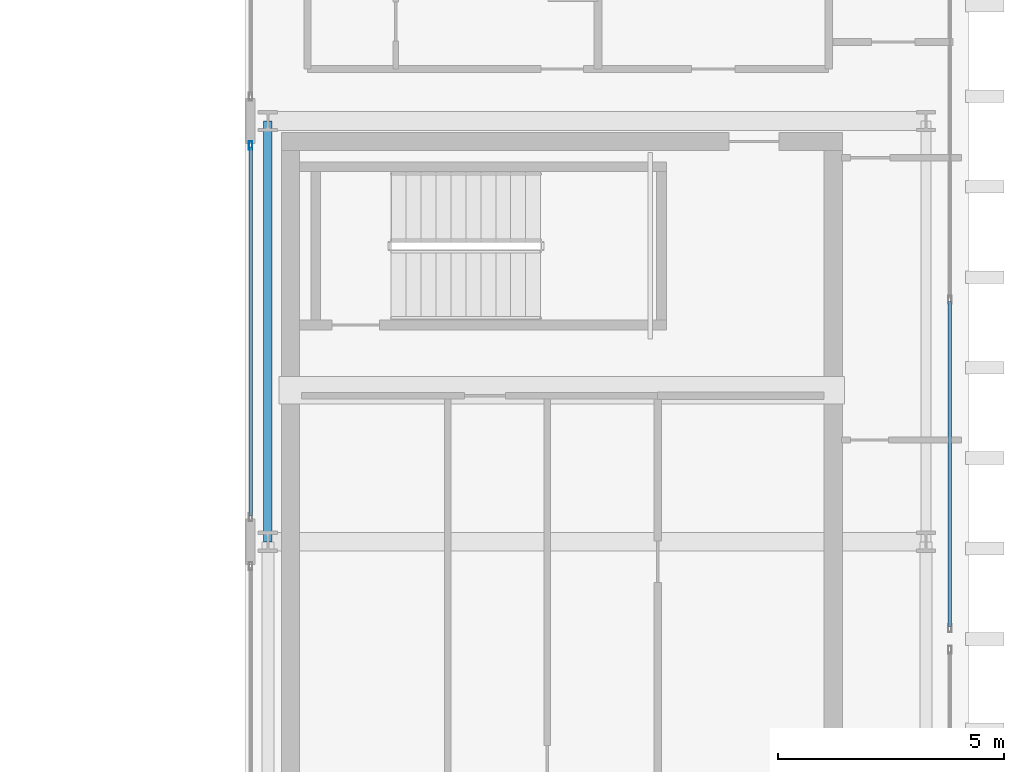
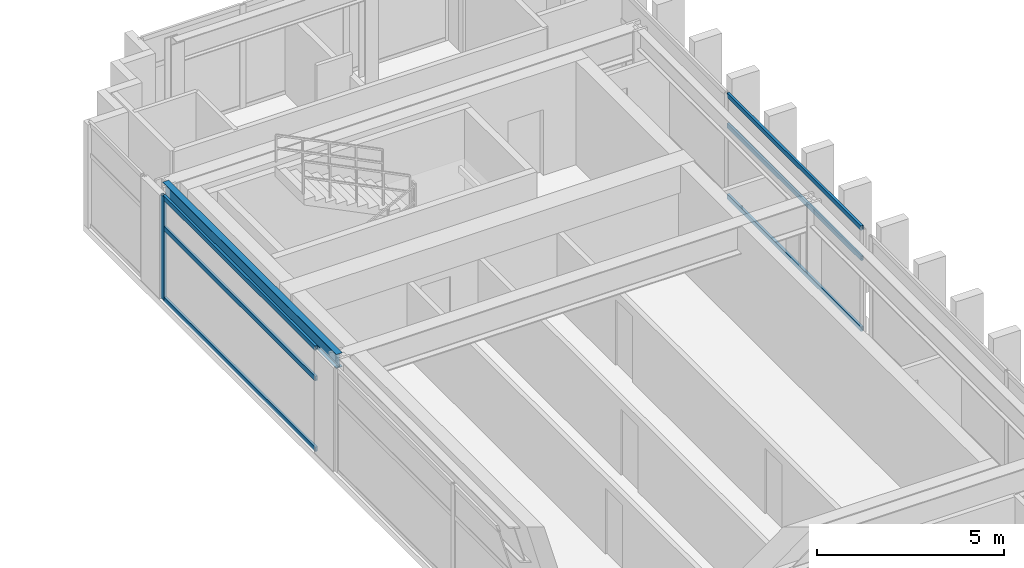
# One storey, part 12 of 25: 7 members, 1 beam, 2 elements without a shape of their own.
"""IFC4 building model written with IfcOpenShell, lengths in metres."""

from ifc_helpers import new_model, si_unit, direction, frame, origin, origin_2d, place, context, subcontext, project, spatial, hollow_rectangle, i_section, extrude, source, transform, mapped, material, layer, layer_set, material_profile, profile_set, type_object, element, aggregate, save


model = new_model("IFC4")

# Units and contexts
model_context = context("Model", 3, precision=1e-05, world=origin(), true_north=direction((0.0, 1.0)))
body_context = subcontext(model_context, "Body", "Model", "MODEL_VIEW")
ifc_project = project(units=[si_unit("LENGTHUNIT", "METRE"), si_unit("AREAUNIT", "SQUARE_METRE"), si_unit("VOLUMEUNIT", "CUBIC_METRE"), si_unit("PLANEANGLEUNIT", "RADIAN"), si_unit("MASSUNIT", "GRAM", prefix="KILO")], contexts=[model_context])

# Site, building, storey
site_placement = place(None, origin())
site = spatial("IfcSite", under=ifc_project, at=site_placement, CompositionType="ELEMENT")
building_placement = place(site_placement, origin())
building = spatial("IfcBuilding", under=site, at=building_placement, Name="Ocotamira Hotel", CompositionType="ELEMENT")
storey_placement = place(building_placement, frame((0.0, 0.0, 258.0)))
storey = spatial("IfcBuildingStorey", under=building, at=storey_placement, Name="L65", CompositionType="ELEMENT", Elevation=258.0)

# Beam
ifc_material_1 = material(Name="Steel ASTM A992 Grade 50", Category="steel")
ifc_material_profile_1 = material_profile(ifc_material_1, i_section(OverallWidth=0.18994140625, OverallDepth=0.45703125, WebThickness=0.009033203125, FlangeThickness=0.014404296875, FilletRadius=0.010009765625, at=origin_2d()), Name="W18X50")
ifc_profile_set_1 = profile_set([ifc_material_profile_1], Name="Steel ASTM A992 Grade 50")
beam_type = type_object("IfcBeamType", Name="BM-SEC-W18X50", PredefinedType="JOIST", material=ifc_profile_set_1)
shared_shape_1 = source(origin(), body_context, "Body", "SweptSolid", [
    extrude(i_section(OverallWidth=0.18994140625, OverallDepth=0.45703125, WebThickness=0.009033203125, FlangeThickness=0.014404296875, FilletRadius=0.010009765625, at=origin_2d()), origin(), (0.0, 0.0, 1.0), 9.300048828125),
])
beam_placement = place(storey_placement, frame((40.5, 28.14990234375, 3.151611328125), z_axis=(0.0, 1.0, 0.0), x_axis=(-1.0, 0.0, 0.0)))
element("IfcBeam", 1, at=beam_placement, inside=storey, type_object=beam_type, Name="L65 Beam X40.5 Y28.15-37.45", PredefinedType="JOIST", context=body_context, shape_type="MappedRepresentation", body=[
    mapped(shared_shape_1, transform((0.0, 0.0, 0.0), scale=1.0)),
])

# Curtain wall, member
ifc_material_2 = material(Name="Anodised pale-metal aluminium and solar glass", Category="aluminium")
ifc_layer = layer(ifc_material_2, 0.2099609375)
ifc_layer_set = layer_set([ifc_layer], Name="Anodised pale-metal aluminium and solar glass")
curtain_wall_type = type_object("IfcCurtainWallType", Name="CW-SYS7-PEAK", PredefinedType="NOTDEFINED", material=ifc_layer_set)
curtain_wall_1_placement = place(storey_placement, origin())
curtain_wall_1 = element("IfcCurtainWall", 2, at=curtain_wall_1_placement, inside=storey, type_object=curtain_wall_type, Name="L65 Curtain Wall CW-7 CW-L65-EI3", PredefinedType="NOTDEFINED")
ifc_material_3 = material(Name="Anodised pale-metal aluminium 6063-T6", Category="aluminium")
ifc_material_profile_2 = material_profile(ifc_material_3, hollow_rectangle(XDim=0.080078125, YDim=0.179931640625, WallThickness=0.006103515625, at=origin_2d()), Name="HSS180X80X6")
ifc_profile_set_2 = profile_set([ifc_material_profile_2], Name="Anodised pale-metal aluminium 6063-T6")
member_type_1 = type_object("IfcMemberType", Name="CWM-180X75", PredefinedType="MULLION", material=ifc_profile_set_2)
shared_shape_2 = source(origin(), body_context, "Body", "SweptSolid", [
    extrude(hollow_rectangle(XDim=0.080078125, YDim=0.179931640625, WallThickness=0.006103515625, at=origin_2d()), origin(), (0.0, 0.0, 1.0), 3.3798828125),
])
member_1_placement = place(storey_placement, frame((40.1201171875, 36.909912109375, 0.0), z_axis=(0.0, 0.0, 1.0), x_axis=(-1.0, 0.0, 0.0)))
member_1 = element("IfcMember", 3, at=member_1_placement, type_object=member_type_1, Name="CW-7 mullion 2", PredefinedType="MULLION", context=body_context, shape_type="MappedRepresentation", body=[
    mapped(shared_shape_2, transform((0.0, 0.0, 0.0), scale=1.0)),
])

# Curtain wall, members
curtain_wall_2_placement = place(storey_placement, origin())
curtain_wall_2 = element("IfcCurtainWall", 4, at=curtain_wall_2_placement, inside=storey, type_object=curtain_wall_type, Name="L65 Curtain Wall CW-7 CW-L65-EO2", PredefinedType="NOTDEFINED")
ifc_material_profile_3 = material_profile(ifc_material_3, hollow_rectangle(XDim=0.074951171875, YDim=0.14990234375, WallThickness=0.006103515625, at=origin_2d()), Name="HSS150X75X6")
ifc_profile_set_3 = profile_set([ifc_material_profile_3], Name="Anodised pale-metal aluminium 6063-T6")
member_type_2 = type_object("IfcMemberType", Name="CWT-150X75", PredefinedType="USERDEFINED", material=ifc_profile_set_3)
shared_shape_3 = source(origin(), body_context, "Body", "SweptSolid", [
    extrude(hollow_rectangle(XDim=0.074951171875, YDim=0.14990234375, WallThickness=0.006103515625, at=origin_2d()), origin(), (0.0, 0.0, 1.0), 7.179931640625),
])
member_2_placement = place(storey_placement, frame((55.580078125, 26.280029296875, 0.03759765625), z_axis=(0.0, 1.0, 0.0), x_axis=(-1.0, 0.0, 0.0)))
member_2 = element("IfcMember", 5, at=member_2_placement, type_object=member_type_2, Name="CW-7 transom 1.1", ObjectType="TRANSOM", PredefinedType="USERDEFINED", context=body_context, shape_type="MappedRepresentation", body=[
    mapped(shared_shape_3, transform((0.0, 0.0, 0.0), scale=1.0)),
])
member_3_placement = place(storey_placement, frame((55.580078125, 26.280029296875, 2.35009765625), z_axis=(0.0, 1.0, 0.0), x_axis=(-1.0, 0.0, 0.0)))
member_3 = element("IfcMember", 6, at=member_3_placement, type_object=member_type_2, Name="CW-7 transom 1.2", ObjectType="TRANSOM", PredefinedType="USERDEFINED", context=body_context, shape_type="MappedRepresentation", body=[
    mapped(shared_shape_3, transform((0.0, 0.0, 0.0), scale=1.0)),
])
member_4_placement = place(storey_placement, frame((55.580078125, 26.280029296875, 3.342529296875), z_axis=(0.0, 1.0, 0.0), x_axis=(-1.0, 0.0, 0.0)))
member_4 = element("IfcMember", 7, at=member_4_placement, type_object=member_type_2, Name="CW-7 transom 1.3", ObjectType="TRANSOM", PredefinedType="USERDEFINED", context=body_context, shape_type="MappedRepresentation", body=[
    mapped(shared_shape_3, transform((0.0, 0.0, 0.0), scale=1.0)),
])
aggregate(curtain_wall_2, [member_2, member_3, member_4])

# Member
shared_shape_4 = source(origin(), body_context, "Body", "SweptSolid", [
    extrude(hollow_rectangle(XDim=0.074951171875, YDim=0.14990234375, WallThickness=0.006103515625, at=origin_2d()), origin(), (0.0, 0.0, 1.0), 8.14013671875),
])
member_5_placement = place(storey_placement, frame((40.1201171875, 28.72998046875, 0.03759765625), z_axis=(0.0, 1.0, 0.0), x_axis=(-1.0, 0.0, 0.0)))
member_5 = element("IfcMember", 8, at=member_5_placement, type_object=member_type_2, Name="CW-7 transom 1.1", ObjectType="TRANSOM", PredefinedType="USERDEFINED", context=body_context, shape_type="MappedRepresentation", body=[
    mapped(shared_shape_4, transform((0.0, 0.0, 0.0), scale=1.0)),
])

member_6_placement = place(storey_placement, frame((40.1201171875, 28.72998046875, 2.35009765625), z_axis=(0.0, 1.0, 0.0), x_axis=(-1.0, 0.0, 0.0)))
member_6 = element("IfcMember", 9, at=member_6_placement, type_object=member_type_2, Name="CW-7 transom 1.2", ObjectType="TRANSOM", PredefinedType="USERDEFINED", context=body_context, shape_type="MappedRepresentation", body=[
    mapped(shared_shape_4, transform((0.0, 0.0, 0.0), scale=1.0)),
])

member_7_placement = place(storey_placement, frame((40.1201171875, 28.72998046875, 3.342529296875), z_axis=(0.0, 1.0, 0.0), x_axis=(-1.0, 0.0, 0.0)))
member_7 = element("IfcMember", 10, at=member_7_placement, type_object=member_type_2, Name="CW-7 transom 1.3", ObjectType="TRANSOM", PredefinedType="USERDEFINED", context=body_context, shape_type="MappedRepresentation", body=[
    mapped(shared_shape_4, transform((0.0, 0.0, 0.0), scale=1.0)),
])

aggregate(curtain_wall_1, [member_1, member_5, member_6, member_7])

save(model, "model.ifc")
